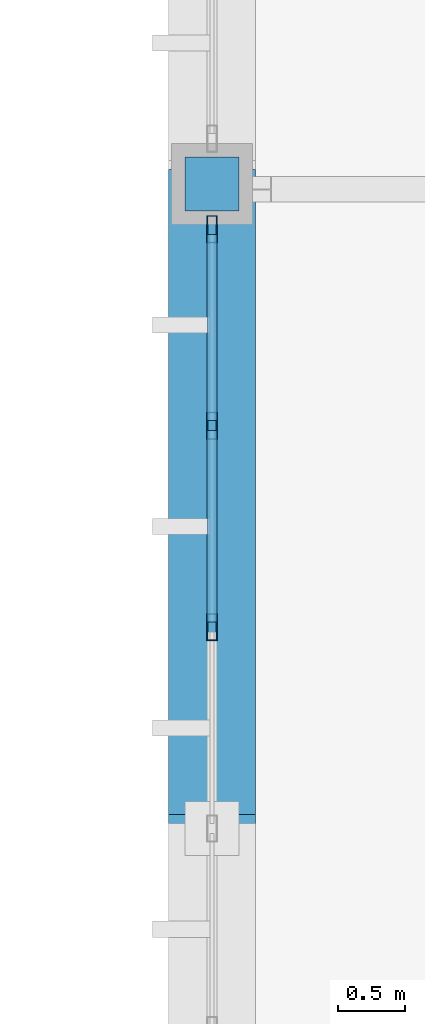
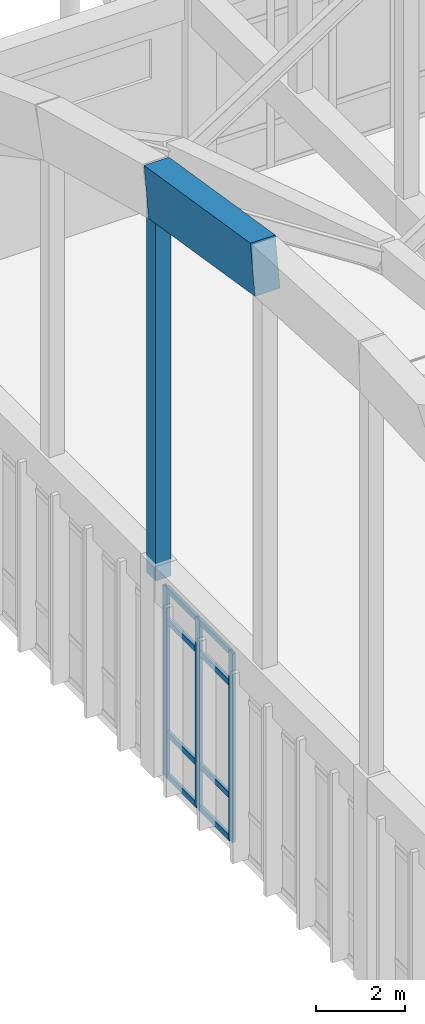
# One storey, part 62 of 236: 13 members, 1 element without a shape of its own.
"""IFC4 building model written with IfcOpenShell, lengths in metres."""

from ifc_helpers import new_model, si_unit, direction, frame, origin, origin_2d, place, context, subcontext, project, spatial, rectangle, hollow_rectangle, extrude, material, layer, layer_set, material_profile, profile_set, type_object, element, aggregate, save


model = new_model("IFC4")

# Units and contexts
model_context = context("Model", 3, precision=1e-05, world=origin(), true_north=direction((0.0, 1.0)))
body_context = subcontext(model_context, "Body", "Model", "MODEL_VIEW")
ifc_project = project(units=[si_unit("LENGTHUNIT", "METRE"), si_unit("AREAUNIT", "SQUARE_METRE"), si_unit("VOLUMEUNIT", "CUBIC_METRE"), si_unit("PLANEANGLEUNIT", "RADIAN"), si_unit("MASSUNIT", "GRAM", prefix="KILO")], contexts=[model_context])

# Site, building, storey
site_placement = place(None, origin())
site = spatial("IfcSite", under=ifc_project, at=site_placement, CompositionType="ELEMENT")
building_placement = place(site_placement, origin())
building = spatial("IfcBuilding", under=site, at=building_placement, Name="Pandanus Reach Market Hall", CompositionType="ELEMENT")
storey_placement = place(building_placement, frame((0.0, 0.0, 5.39990234375)))
storey = spatial("IfcBuildingStorey", under=building, at=storey_placement, Name="L01", CompositionType="ELEMENT", Elevation=5.39990234375)

# Members
ifc_material_1 = material(Name="Concrete N50 (50 MPa)", Category="concrete")
ifc_material_profile_1 = material_profile(ifc_material_1, rectangle(XDim=0.64990234375, YDim=1.35009765625, at=origin_2d()), Name="RC650x1350", Category="LoadBearing")
ifc_profile_set_1 = profile_set([ifc_material_profile_1], Name="Concrete N50 (50 MPa)")
member_type_1 = type_object("IfcMemberType", Name="AR-RC650-E", PredefinedType="CHORD", material=ifc_profile_set_1)
member_1_placement = place(storey_placement, frame((48.0, 62.39990234375, 16.724609375), z_axis=(0.0, 0.987485724156, -0.15770841635), x_axis=(-1.0, 0.0, 0.0)))
element("IfcMember", 1, at=member_1_placement, inside=storey, type_object=member_type_1, Name="Parabolic arch top chord A1.8", PredefinedType="CHORD", context=body_context, shape_type="SweptSolid", body=[
    extrude(rectangle(XDim=0.64990234375, YDim=1.35009765625, at=origin_2d()), origin(), (0.0, 0.0, 1.0), 4.86083984375),
])
ifc_material_profile_2 = material_profile(ifc_material_1, rectangle(XDim=0.39990234375, YDim=0.39990234375, at=origin_2d()), Name="RC400x400", Category="LoadBearing")
ifc_profile_set_2 = profile_set([ifc_material_profile_2], Name="Concrete N50 (50 MPa)")
member_type_2 = type_object("IfcMemberType", Name="AR-WEB400-E", PredefinedType="STRUT", material=ifc_profile_set_2)
member_2_placement = place(storey_placement, frame((48.0, 67.199951171875, 5.3251953125), z_axis=(0.0, 0.0, 1.0), x_axis=(1.0, 0.0, 0.0)))
element("IfcMember", 2, at=member_2_placement, inside=storey, type_object=member_type_2, Name="Arch truss vertical web strut A1.8", PredefinedType="STRUT", context=body_context, shape_type="SweptSolid", body=[
    extrude(rectangle(XDim=0.39990234375, YDim=0.39990234375, at=origin_2d()), origin(), (0.0, 0.0, 1.0), 10.6328125),
])

# Curtain wall, members
ifc_material_2 = material(Name="Bronze anodised aluminium and low-E glass", Category="aluminium")
ifc_layer = layer(ifc_material_2, 0.199951171875, Name="CW-05")
ifc_layer_set = layer_set([ifc_layer], Name="Bronze anodised aluminium and low-E glass")
curtain_wall_type = type_object("IfcCurtainWallType", Name="CW-05", PredefinedType="NOTDEFINED", material=ifc_layer_set)
curtain_wall_placement = place(storey_placement, origin())
curtain_wall = element("IfcCurtainWall", 3, at=curtain_wall_placement, inside=storey, type_object=curtain_wall_type, Name="Glazed curtain wall CW-05 CW-0029", PredefinedType="NOTDEFINED")
ifc_material_3 = material(Name="Bronze anodised aluminium", Category="aluminium")
ifc_material_profile_3 = material_profile(ifc_material_3, hollow_rectangle(XDim=0.074951171875, YDim=0.199951171875, WallThickness=0.00439453125, at=origin_2d()), Name="ALU75x200", Category="LoadBearing")
ifc_profile_set_3 = profile_set([ifc_material_profile_3], Name="Bronze anodised aluminium")
member_type_3 = type_object("IfcMemberType", Name="CW-M2", PredefinedType="MULLION", material=ifc_profile_set_3)
member_3_placement = place(storey_placement, frame((48.0, 63.89990234375, 0.0), z_axis=(0.0, 0.0, 1.0), x_axis=(-1.0, 0.0, 0.0)))
member_3 = element("IfcMember", 4, at=member_3_placement, type_object=member_type_3, Name="CW-05 mullion 5", PredefinedType="MULLION", context=body_context, shape_type="SweptSolid", body=[
    extrude(hollow_rectangle(XDim=0.074951171875, YDim=0.199951171875, WallThickness=0.00439453125, at=origin_2d()), origin(), (0.0, 0.0, 1.0), 5.2001953125),
])
member_4_placement = place(storey_placement, frame((48.0, 65.39990234375, 0.0), z_axis=(0.0, 0.0, 1.0), x_axis=(-1.0, 0.0, 0.0)))
member_4 = element("IfcMember", 5, at=member_4_placement, type_object=member_type_3, Name="CW-05 mullion 6", PredefinedType="MULLION", context=body_context, shape_type="SweptSolid", body=[
    extrude(hollow_rectangle(XDim=0.074951171875, YDim=0.199951171875, WallThickness=0.00439453125, at=origin_2d()), origin(), (0.0, 0.0, 1.0), 5.2001953125),
])
member_5_placement = place(storey_placement, frame((48.0, 66.862548828125, 0.0), z_axis=(0.0, 0.0, 1.0), x_axis=(-1.0, 0.0, 0.0)))
member_5 = element("IfcMember", 6, at=member_5_placement, type_object=member_type_3, Name="CW-05 mullion 7", PredefinedType="MULLION", context=body_context, shape_type="SweptSolid", body=[
    extrude(hollow_rectangle(XDim=0.074951171875, YDim=0.199951171875, WallThickness=0.00439453125, at=origin_2d()), origin(), (0.0, 0.0, 1.0), 5.2001953125),
])
ifc_material_profile_4 = material_profile(ifc_material_3, hollow_rectangle(XDim=0.074951171875, YDim=0.14990234375, WallThickness=0.00439453125, at=origin_2d()), Name="ALU75x150", Category="LoadBearing")
ifc_profile_set_4 = profile_set([ifc_material_profile_4], Name="Bronze anodised aluminium")
member_type_4 = type_object("IfcMemberType", Name="CW-T2", PredefinedType="USERDEFINED", material=ifc_profile_set_4)
member_6_placement = place(storey_placement, frame((48.0, 63.9375, 0.03759765625), z_axis=(0.0, 1.0, 0.0), x_axis=(-1.0, 0.0, 0.0)))
member_6 = element("IfcMember", 7, at=member_6_placement, type_object=member_type_4, Name="CW-05 transom 5.1", ObjectType="TRANSOM", PredefinedType="USERDEFINED", context=body_context, shape_type="SweptSolid", body=[
    extrude(hollow_rectangle(XDim=0.074951171875, YDim=0.14990234375, WallThickness=0.00439453125, at=origin_2d()), origin(), (0.0, 0.0, 1.0), 1.425048828125),
])
member_7_placement = place(storey_placement, frame((48.0, 63.9375, 1.2001953125), z_axis=(0.0, 1.0, 0.0), x_axis=(-1.0, 0.0, 0.0)))
member_7 = element("IfcMember", 8, at=member_7_placement, type_object=member_type_4, Name="CW-05 transom 5.2", ObjectType="TRANSOM", PredefinedType="USERDEFINED", context=body_context, shape_type="SweptSolid", body=[
    extrude(hollow_rectangle(XDim=0.074951171875, YDim=0.14990234375, WallThickness=0.00439453125, at=origin_2d()), origin(), (0.0, 0.0, 1.0), 1.425048828125),
])
member_8_placement = place(storey_placement, frame((48.0, 63.9375, 4.300048828125), z_axis=(0.0, 1.0, 0.0), x_axis=(-1.0, 0.0, 0.0)))
member_8 = element("IfcMember", 9, at=member_8_placement, type_object=member_type_4, Name="CW-05 transom 5.3", ObjectType="TRANSOM", PredefinedType="USERDEFINED", context=body_context, shape_type="SweptSolid", body=[
    extrude(hollow_rectangle(XDim=0.074951171875, YDim=0.14990234375, WallThickness=0.00439453125, at=origin_2d()), origin(), (0.0, 0.0, 1.0), 1.425048828125),
])
member_9_placement = place(storey_placement, frame((48.0, 63.9375, 5.16259765625), z_axis=(0.0, 1.0, 0.0), x_axis=(-1.0, 0.0, 0.0)))
member_9 = element("IfcMember", 10, at=member_9_placement, type_object=member_type_4, Name="CW-05 transom 5.4", ObjectType="TRANSOM", PredefinedType="USERDEFINED", context=body_context, shape_type="SweptSolid", body=[
    extrude(hollow_rectangle(XDim=0.074951171875, YDim=0.14990234375, WallThickness=0.00439453125, at=origin_2d()), origin(), (0.0, 0.0, 1.0), 1.425048828125),
])
member_10_placement = place(storey_placement, frame((48.0, 65.4375, 0.03759765625), z_axis=(0.0, 1.0, 0.0), x_axis=(-1.0, 0.0, 0.0)))
member_10 = element("IfcMember", 11, at=member_10_placement, type_object=member_type_4, Name="CW-05 transom 6.1", ObjectType="TRANSOM", PredefinedType="USERDEFINED", context=body_context, shape_type="SweptSolid", body=[
    extrude(hollow_rectangle(XDim=0.074951171875, YDim=0.14990234375, WallThickness=0.00439453125, at=origin_2d()), origin(), (0.0, 0.0, 1.0), 1.387451171875),
])
member_11_placement = place(storey_placement, frame((48.0, 65.4375, 1.2001953125), z_axis=(0.0, 1.0, 0.0), x_axis=(-1.0, 0.0, 0.0)))
member_11 = element("IfcMember", 12, at=member_11_placement, type_object=member_type_4, Name="CW-05 transom 6.2", ObjectType="TRANSOM", PredefinedType="USERDEFINED", context=body_context, shape_type="SweptSolid", body=[
    extrude(hollow_rectangle(XDim=0.074951171875, YDim=0.14990234375, WallThickness=0.00439453125, at=origin_2d()), origin(), (0.0, 0.0, 1.0), 1.387451171875),
])
member_12_placement = place(storey_placement, frame((48.0, 65.4375, 4.300048828125), z_axis=(0.0, 1.0, 0.0), x_axis=(-1.0, 0.0, 0.0)))
member_12 = element("IfcMember", 13, at=member_12_placement, type_object=member_type_4, Name="CW-05 transom 6.3", ObjectType="TRANSOM", PredefinedType="USERDEFINED", context=body_context, shape_type="SweptSolid", body=[
    extrude(hollow_rectangle(XDim=0.074951171875, YDim=0.14990234375, WallThickness=0.00439453125, at=origin_2d()), origin(), (0.0, 0.0, 1.0), 1.387451171875),
])
member_13_placement = place(storey_placement, frame((48.0, 65.4375, 5.16259765625), z_axis=(0.0, 1.0, 0.0), x_axis=(-1.0, 0.0, 0.0)))
member_13 = element("IfcMember", 14, at=member_13_placement, type_object=member_type_4, Name="CW-05 transom 6.4", ObjectType="TRANSOM", PredefinedType="USERDEFINED", context=body_context, shape_type="SweptSolid", body=[
    extrude(hollow_rectangle(XDim=0.074951171875, YDim=0.14990234375, WallThickness=0.00439453125, at=origin_2d()), origin(), (0.0, 0.0, 1.0), 1.387451171875),
])
aggregate(curtain_wall, [member_3, member_4, member_5, member_6, member_7, member_8, member_9, member_10, member_11, member_12, member_13])

save(model, "model.ifc")
